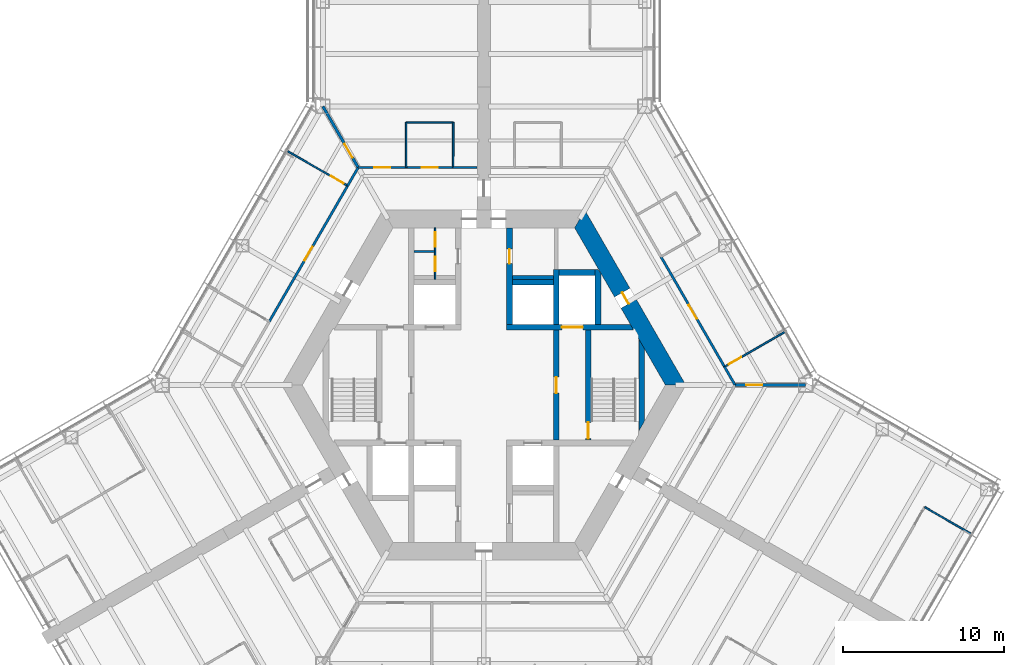
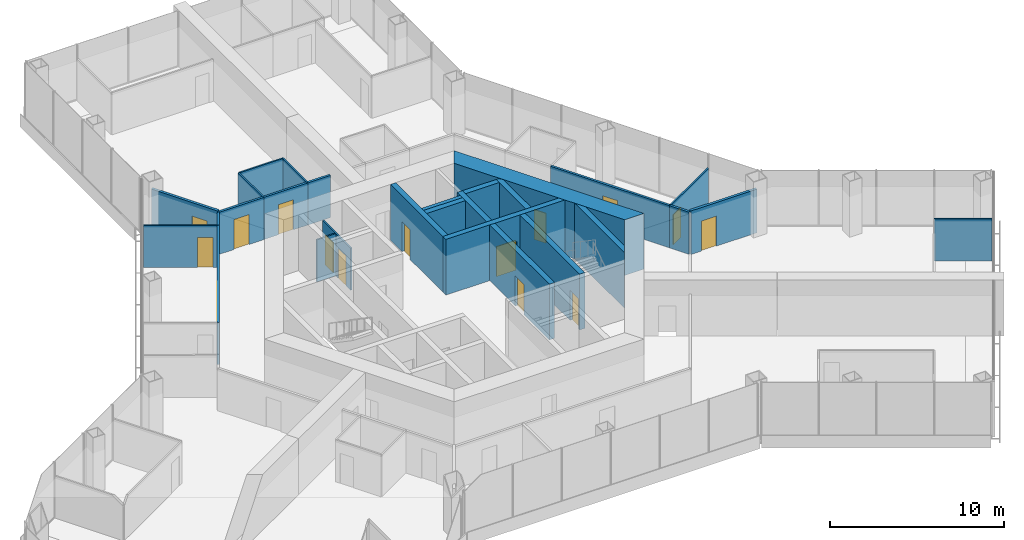
# One storey, part 14 of 18: 28 walls, 15 doors, 15 openings.
"""IFC4 building model written with IfcOpenShell, lengths in metres."""

from ifc_helpers import new_model, si_unit, direction, frame, frame_2d, origin, place, context, subcontext, project, spatial, polyline, rectangle, outline, extrude, material, layer, layer_set, type_object, element, fill, save


model = new_model("IFC4")

# Units and contexts
model_context = context("Model", 3, precision=1e-05, world=origin(), true_north=direction((0.0, 1.0)))
body_context = subcontext(model_context, "Body", "Model", "MODEL_VIEW")
ifc_project = project(units=[si_unit("LENGTHUNIT", "METRE"), si_unit("AREAUNIT", "SQUARE_METRE"), si_unit("VOLUMEUNIT", "CUBIC_METRE"), si_unit("PLANEANGLEUNIT", "RADIAN"), si_unit("MASSUNIT", "GRAM", prefix="KILO")], contexts=[model_context])

# Site, building, storey
site_placement = place(None, origin())
site = spatial("IfcSite", under=ifc_project, at=site_placement, CompositionType="ELEMENT")
building_placement = place(site_placement, origin())
building = spatial("IfcBuilding", under=site, at=building_placement, Name="Kasaneha Research Tower", CompositionType="ELEMENT")
storey_placement = place(building_placement, frame((0.0, 0.0, 80.699951171875)))
storey = spatial("IfcBuildingStorey", under=building, at=storey_placement, Name="L20", CompositionType="ELEMENT", Elevation=80.699951171875)

# Wall, opening, door
ifc_material_1 = material(Name="Concrete Fc80", Category="concrete")
ifc_layer_1 = layer(ifc_material_1, 0.35009765625)
ifc_layer_set_1 = layer_set([ifc_layer_1], Name="Core internal wall 350 Fc80")
wall_type_1 = type_object("IfcWallType", Name="Core internal wall 350 Fc80", PredefinedType="SHEAR", material=ifc_layer_set_1)
wall_1_placement = place(storey_placement, frame((1.425048828125, 3.60009765625, 0.0), z_axis=(0.0, 0.0, 1.0), x_axis=(1.0, 0.0, 0.0)))
wall_1 = element("IfcWall", 1, at=wall_1_placement, inside=storey, type_object=wall_type_1, Name="Core wall W1E L20", PredefinedType="SHEAR", context=body_context, shape_type="SweptSolid", body=[
    extrude(outline(polyline([(0.0, -0.175048828125), (3.425048828125, -0.175048828125), (4.72509765625, -0.175048828125), (7.884765625, -0.175048828125), (7.6826171875, 0.175048828125), (4.72509765625, 0.175048828125), (3.425048828125, 0.175048828125), (0.0, 0.175048828125), (0.0, -0.175048828125)])), origin(), (0.0, 0.0, 1.0), 3.900146484375),
])
opening_1_placement = place(wall_1_placement, frame((3.425048828125, 0.0, 0.0)))
opening_1 = element("IfcOpeningElement", 2, at=opening_1_placement, cuts=wall_1, Name="Opening LD-FL1-L20", PredefinedType="OPENING", context=body_context, shape_type="SweptSolid", body=[
    extrude(rectangle(XDim=1.300048828125, YDim=2.10009765625, at=frame_2d((0.64990234375, 1.050048828125))), frame((0.0, 0.18505859375, 0.0), z_axis=(0.0, -1.0, 0.0), x_axis=(1.0, 0.0, 0.0)), (0.0, 0.0, 1.0), 0.3701171875),
])
ifc_material_2 = material(Name="Steel", Category="steel")
door_type_1 = type_object("IfcDoorType", Name="Lift landing door 1300x2100", OperationType="DOUBLE_DOOR_SLIDING", PredefinedType="DOOR", material=ifc_material_2)
door_1_placement = place(opening_1_placement, origin())
door_1 = element("IfcDoor", 3, at=door_1_placement, inside=storey, type_object=door_type_1, Name="Landing door FL1 LD-FL1-L20", OperationType="DOUBLE_DOOR_SLIDING", OverallHeight=2.10009765625, OverallWidth=1.300048828125, PredefinedType="DOOR", context=body_context, shape_type="SweptSolid", body=[
    extrude(rectangle(XDim=1.300048828125, YDim=2.10009765625, at=frame_2d((0.64990234375, 1.050048828125))), frame((0.0, 0.02490234375, 0.0), z_axis=(0.0, -1.0, 0.0), x_axis=(1.0, 0.0, 0.0)), (0.0, 0.0, 1.0), 0.050048828125),
])
fill(opening_1, door_1)

wall_2_placement = place(storey_placement, frame((1.60009765625, 3.77490234375, 0.0), z_axis=(0.0, 0.0, 1.0), x_axis=(0.0, 1.0, 0.0)))
wall_2 = element("IfcWall", 4, at=wall_2_placement, inside=storey, type_object=wall_type_1, Name="Core wall CNE L20", PredefinedType="SHEAR", context=body_context, shape_type="SweptSolid", body=[
    extrude(rectangle(XDim=6.0, YDim=0.35009765625, at=frame_2d((3.0, 0.0))), origin(), (0.0, 0.0, 1.0), 3.900146484375),
])
opening_2_placement = place(wall_2_placement, frame((3.77490234375, 0.0, 0.0)))
opening_2 = element("IfcOpeningElement", 5, at=opening_2_placement, cuts=wall_2, Name="Opening L20-D14", PredefinedType="OPENING", context=body_context, shape_type="SweptSolid", body=[
    extrude(rectangle(XDim=0.89990234375, YDim=2.10009765625, at=frame_2d((0.449951171875, 1.050048828125))), frame((0.0, 0.18505859375, 0.0), z_axis=(0.0, -1.0, 0.0), x_axis=(1.0, 0.0, 0.0)), (0.0, 0.0, 1.0), 0.3701171875),
])
ifc_material_3 = material(Name="Steel", Category="steel")
door_type_2 = type_object("IfcDoorType", Name="Toilet door FD20 900x2100", OperationType="NOTDEFINED", PredefinedType="DOOR", material=ifc_material_3)
door_2_placement = place(opening_2_placement, origin())
door_2 = element("IfcDoor", 6, at=door_2_placement, inside=storey, type_object=door_type_2, Name="Women's WC door L20-D14", OperationType="SINGLE_SWING_LEFT", OverallHeight=2.10009765625, OverallWidth=0.89990234375, PredefinedType="DOOR", context=body_context, shape_type="SweptSolid", body=[
    extrude(rectangle(XDim=0.89990234375, YDim=2.10009765625, at=frame_2d((0.449951171875, 1.050048828125))), frame((0.0, 0.02490234375, 0.0), z_axis=(0.0, -1.0, 0.0), x_axis=(1.0, 0.0, 0.0)), (0.0, 0.0, 1.0), 0.050048828125),
])
fill(opening_2, door_2)

wall_3_placement = place(storey_placement, frame((4.5, -3.425048828125, 0.0), z_axis=(0.0, 0.0, 1.0), x_axis=(0.0, 1.0, 0.0)))
wall_3 = element("IfcWall", 7, at=wall_3_placement, inside=storey, type_object=wall_type_1, Name="Core wall LBE L20", PredefinedType="SHEAR", context=body_context, shape_type="SweptSolid", body=[
    extrude(rectangle(XDim=6.85009765625, YDim=0.35009765625, at=frame_2d((3.425048828125, 0.0))), origin(), (0.0, 0.0, 1.0), 3.900146484375),
])
opening_3_placement = place(wall_3_placement, frame((2.925048828125, 0.0, 0.0)))
opening_3 = element("IfcOpeningElement", 8, at=opening_3_placement, cuts=wall_3, Name="Opening L20-D08", PredefinedType="OPENING", context=body_context, shape_type="SweptSolid", body=[
    extrude(rectangle(XDim=1.0, YDim=2.10009765625, at=frame_2d((0.5, 1.050048828125))), frame((0.0, 0.18505859375, 0.0), z_axis=(0.0, -1.0, 0.0), x_axis=(1.0, 0.0, 0.0)), (0.0, 0.0, 1.0), 0.3701171875),
])
ifc_material_4 = material(Name="Steel", Category="steel")
door_type_3 = type_object("IfcDoorType", Name="Specified fire door FD60 1000x2100", OperationType="NOTDEFINED", PredefinedType="DOOR", material=ifc_material_4)
door_3_placement = place(opening_3_placement, origin())
door_3 = element("IfcDoor", 9, at=door_3_placement, inside=storey, type_object=door_type_3, Name="Lift lobby door east L20-D08", OperationType="SINGLE_SWING_LEFT", OverallHeight=2.10009765625, OverallWidth=1.0, PredefinedType="DOOR", context=body_context, shape_type="SweptSolid", body=[
    extrude(rectangle(XDim=1.0, YDim=2.10009765625, at=frame_2d((0.5, 1.050048828125))), frame((0.0, 0.02490234375, 0.0), z_axis=(0.0, -1.0, 0.0), x_axis=(1.0, 0.0, 0.0)), (0.0, 0.0, 1.0), 0.050048828125),
])
fill(opening_3, door_3)

wall_4_placement = place(storey_placement, frame((6.5, -3.425048828125, 0.0), z_axis=(0.0, 0.0, 1.0), x_axis=(0.0, 1.0, 0.0)))
wall_4 = element("IfcWall", 10, at=wall_4_placement, inside=storey, type_object=wall_type_1, Name="Core wall ANE L20", PredefinedType="SHEAR", context=body_context, shape_type="SweptSolid", body=[
    extrude(rectangle(XDim=6.85009765625, YDim=0.35009765625, at=frame_2d((3.425048828125, 0.0))), origin(), (0.0, 0.0, 1.0), 3.900146484375),
])
opening_4_placement = place(wall_4_placement, frame((0.10009765625, 0.0, 0.0)))
opening_4 = element("IfcOpeningElement", 11, at=opening_4_placement, cuts=wall_4, Name="Opening L20-D10", PredefinedType="OPENING", context=body_context, shape_type="SweptSolid", body=[
    extrude(rectangle(XDim=1.0, YDim=2.10009765625, at=frame_2d((0.5, 1.050048828125))), frame((0.0, 0.18505859375, 0.0), z_axis=(0.0, -1.0, 0.0), x_axis=(1.0, 0.0, 0.0)), (0.0, 0.0, 1.0), 0.3701171875),
])
door_4_placement = place(opening_4_placement, origin())
door_4 = element("IfcDoor", 12, at=door_4_placement, inside=storey, type_object=door_type_3, Name="Stair 1 door L20-D10", OperationType="SINGLE_SWING_LEFT", OverallHeight=2.10009765625, OverallWidth=1.0, PredefinedType="DOOR", context=body_context, shape_type="SweptSolid", body=[
    extrude(rectangle(XDim=1.0, YDim=2.10009765625, at=frame_2d((0.5, 1.050048828125))), frame((0.0, 0.02490234375, 0.0), z_axis=(0.0, -1.0, 0.0), x_axis=(1.0, 0.0, 0.0)), (0.0, 0.0, 1.0), 0.050048828125),
])
fill(opening_4, door_4)

# Walls
wall_5_placement = place(storey_placement, frame((4.5, 3.77490234375, 0.0), z_axis=(0.0, 0.0, 1.0), x_axis=(0.0, 1.0, 0.0)))
element("IfcWall", 13, at=wall_5_placement, inside=storey, type_object=wall_type_1, Name="Core wall FNE L20", PredefinedType="SHEAR", context=body_context, shape_type="SweptSolid", body=[
    extrude(rectangle(XDim=3.400146484375, YDim=0.35009765625, at=frame_2d((1.7001953125, 0.0))), origin(), (0.0, 0.0, 1.0), 3.900146484375),
])
wall_6_placement = place(storey_placement, frame((1.77490234375, 6.39990234375, 0.0), z_axis=(0.0, 0.0, 1.0), x_axis=(1.0, 0.0, 0.0)))
element("IfcWall", 14, at=wall_6_placement, inside=storey, type_object=wall_type_1, Name="Core wall N3N L20", PredefinedType="SHEAR", context=body_context, shape_type="SweptSolid", body=[
    extrude(rectangle(XDim=2.550048828125, YDim=0.35009765625, at=frame_2d((1.27490234375, 0.0))), origin(), (0.0, 0.0, 1.0), 3.900146484375),
])
wall_7_placement = place(storey_placement, frame((4.675048828125, 7.0, 0.0), z_axis=(0.0, 0.0, 1.0), x_axis=(1.0, 0.0, 0.0)))
element("IfcWall", 15, at=wall_7_placement, inside=storey, type_object=wall_type_1, Name="Core wall F1N L20", PredefinedType="SHEAR", context=body_context, shape_type="SweptSolid", body=[
    extrude(rectangle(XDim=2.25, YDim=0.35009765625, at=frame_2d((1.125, 0.0))), origin(), (0.0, 0.0, 1.0), 3.900146484375),
])
wall_8_placement = place(storey_placement, frame((7.10009765625, 3.77490234375, 0.0), z_axis=(0.0, 0.0, 1.0), x_axis=(0.0, 1.0, 0.0)))
element("IfcWall", 16, at=wall_8_placement, inside=storey, type_object=wall_type_1, Name="Core wall F1E L20", PredefinedType="SHEAR", context=body_context, shape_type="SweptSolid", body=[
    extrude(outline(polyline([(0.0, -0.175048828125), (3.174560546875, -0.175048828125), (3.400146484375, 0.0), (3.400146484375, 0.175048828125), (0.0, 0.175048828125), (0.0, -0.175048828125)])), origin(), (0.0, 0.0, 1.0), 3.900146484375),
])
wall_9_placement = place(storey_placement, frame((9.807861328125, -2.562255859375, 0.0), z_axis=(0.0, 0.0, 1.0), x_axis=(0.0, 1.0, 0.0)))
element("IfcWall", 17, at=wall_9_placement, inside=storey, type_object=wall_type_1, Name="Core wall STE L20", PredefinedType="SHEAR", context=body_context, shape_type="SweptSolid", body=[
    extrude(outline(polyline([(0.30322265625, -0.175048828125), (4.8212890625, -0.175048828125), (5.427734375, 0.175048828125), (-0.30322265625, 0.175048828125), (0.30322265625, -0.175048828125)])), origin(), (0.0, 0.0, 1.0), 3.900146484375),
])

# Wall, opening, door
ifc_material_5 = material(Name="Concrete Fc80", Category="concrete")
ifc_layer_2 = layer(ifc_material_5, 1.10009765625)
ifc_layer_set_2 = layer_set([ifc_layer_2], Name="Core wall 1100 Fc80")
wall_type_2 = type_object("IfcWallType", Name="Core wall 1100 Fc80", PredefinedType="SHEAR", material=ifc_layer_set_2)
wall_10_placement = place(storey_placement, frame((11.92236328125, 0.0, 0.0), z_axis=(0.0, 0.0, 1.0), x_axis=(-0.500004296715, 0.866022923061, 0.0)))
wall_10 = element("IfcWall", 18, at=wall_10_placement, inside=storey, type_object=wall_type_2, Name="Core wall 030 L20", PredefinedType="SHEAR", context=body_context, shape_type="SweptSolid", body=[
    extrude(outline(polyline([(-0.317626953125, -0.550048828125), (5.83544921875, -0.550048828125), (6.635498046875, -0.550048828125), (12.239990234375, -0.550048828125), (11.604736328125, 0.550048828125), (6.635498046875, 0.550048828125), (5.83544921875, 0.550048828125), (0.317626953125, 0.550048828125), (-0.317626953125, -0.550048828125)])), origin(), (0.0, 0.0, 1.0), 3.900146484375),
])
opening_5_placement = place(wall_10_placement, frame((5.83544921875, 0.0, 0.0)))
opening_5 = element("IfcOpeningElement", 19, at=opening_5_placement, cuts=wall_10, Name="Opening L20-D04", PredefinedType="OPENING", context=body_context, shape_type="SweptSolid", body=[
    extrude(rectangle(XDim=0.800048828125, YDim=2.10009765625, at=frame_2d((0.39990234375, 1.050048828125))), frame((0.0, 0.56005859375, 0.0), z_axis=(0.0, -1.0, 0.0), x_axis=(1.0, 0.0, 0.0)), (0.0, 0.0, 1.0), 1.1201171875),
])
ifc_material_6 = material(Name="Steel", Category="steel")
door_type_4 = type_object("IfcDoorType", Name="Riser access door FD60 800x2100", OperationType="NOTDEFINED", PredefinedType="DOOR", material=ifc_material_6)
door_5_placement = place(opening_5_placement, origin())
door_5 = element("IfcDoor", 20, at=door_5_placement, inside=storey, type_object=door_type_4, Name="Pipe riser door L20-D04", OperationType="SINGLE_SWING_RIGHT", OverallHeight=2.10009765625, OverallWidth=0.800048828125, PredefinedType="DOOR", context=body_context, shape_type="SweptSolid", body=[
    extrude(rectangle(XDim=0.800048828125, YDim=2.10009765625, at=frame_2d((0.39990234375, 1.050048828125))), frame((0.0, 0.02490234375, 0.0), z_axis=(0.0, -1.0, 0.0), x_axis=(1.0, 0.0, 0.0)), (0.0, 0.0, 1.0), 0.050048828125),
])
fill(opening_5, door_5)

# Wall, openings, doors
ifc_material_7 = material(Name="Gypsum board on steel studs, one layer each side", Category="steel")
ifc_layer_3 = layer(ifc_material_7, 0.10009765625)
ifc_layer_set_3 = layer_set([ifc_layer_3], Name="Office partition 100")
wall_type_3 = type_object("IfcWallType", Name="Office partition 100", PredefinedType="PARTITIONING", material=ifc_layer_set_3)
wall_11_placement = place(storey_placement, frame((-3.02490234375, 6.574951171875, 0.0), z_axis=(0.0, 0.0, 1.0), x_axis=(0.0, 1.0, 0.0)))
wall_11 = element("IfcWall", 21, at=wall_11_placement, inside=storey, type_object=wall_type_3, Name="Office partition TBM1 L20", PredefinedType="PARTITIONING", context=body_context, shape_type="SweptSolid", body=[
    extrude(rectangle(XDim=3.199951171875, YDim=0.10009765625, at=frame_2d((1.60009765625, 0.0))), origin(), (0.0, 0.0, 1.0), 2.949951171875),
])
opening_6_placement = place(wall_11_placement, frame((0.512451171875, 0.0, 0.0)))
opening_6 = element("IfcOpeningElement", 22, at=opening_6_placement, cuts=wall_11, Name="Opening L20-D20", PredefinedType="OPENING", context=body_context, shape_type="SweptSolid", body=[
    extrude(rectangle(XDim=0.89990234375, YDim=2.10009765625, at=frame_2d((0.449951171875, 1.050048828125))), frame((0.0, 0.06005859375, 0.0), z_axis=(0.0, -1.0, 0.0), x_axis=(1.0, 0.0, 0.0)), (0.0, 0.0, 1.0), 0.1201171875),
])
opening_7_placement = place(wall_11_placement, frame((2.03759765625, 0.0, 0.0)))
opening_7 = element("IfcOpeningElement", 23, at=opening_7_placement, cuts=wall_11, Name="Opening L20-D21", PredefinedType="OPENING", context=body_context, shape_type="SweptSolid", body=[
    extrude(rectangle(XDim=0.89990234375, YDim=2.10009765625, at=frame_2d((0.449951171875, 1.050048828125))), frame((0.0, 0.06005859375, 0.0), z_axis=(0.0, -1.0, 0.0), x_axis=(1.0, 0.0, 0.0)), (0.0, 0.0, 1.0), 0.1201171875),
])
ifc_material_8 = material(Name="Steel", Category="steel")
door_type_5 = type_object("IfcDoorType", Name="Toilet lobby door FD30 900x2100", OperationType="NOTDEFINED", PredefinedType="DOOR", material=ifc_material_8)
door_6_placement = place(opening_6_placement, origin())
door_6 = element("IfcDoor", 24, at=door_6_placement, inside=storey, type_object=door_type_5, Name="Men's WC door L20-D20", OperationType="SINGLE_SWING_RIGHT", OverallHeight=2.10009765625, OverallWidth=0.89990234375, PredefinedType="DOOR", context=body_context, shape_type="SweptSolid", body=[
    extrude(rectangle(XDim=0.89990234375, YDim=2.10009765625, at=frame_2d((0.449951171875, 1.050048828125))), frame((0.0, 0.02490234375, 0.0), z_axis=(0.0, -1.0, 0.0), x_axis=(1.0, 0.0, 0.0)), (0.0, 0.0, 1.0), 0.050048828125),
])
fill(opening_6, door_6)
door_7_placement = place(opening_7_placement, origin())
door_7 = element("IfcDoor", 25, at=door_7_placement, inside=storey, type_object=door_type_5, Name="Cleaner's store door L20-D21", OperationType="SINGLE_SWING_RIGHT", OverallHeight=2.10009765625, OverallWidth=0.89990234375, PredefinedType="DOOR", context=body_context, shape_type="SweptSolid", body=[
    extrude(rectangle(XDim=0.89990234375, YDim=2.10009765625, at=frame_2d((0.449951171875, 1.050048828125))), frame((0.0, 0.02490234375, 0.0), z_axis=(0.0, -1.0, 0.0), x_axis=(1.0, 0.0, 0.0)), (0.0, 0.0, 1.0), 0.050048828125),
])
fill(opening_7, door_7)

# Wall
wall_12_placement = place(storey_placement, frame((-3.074951171875, 8.300048828125, 0.0), z_axis=(0.0, 0.0, 1.0), x_axis=(-1.0, 0.0, 0.0)))
element("IfcWall", 26, at=wall_12_placement, inside=storey, type_object=wall_type_3, Name="Office partition TBM2 L20", PredefinedType="PARTITIONING", context=body_context, shape_type="SweptSolid", body=[
    extrude(rectangle(XDim=1.25, YDim=0.10009765625, at=frame_2d((0.625, 0.0))), origin(), (0.0, 0.0, 1.0), 2.949951171875),
])

# Wall, opening, door
wall_13_placement = place(storey_placement, frame((14.961669921875, 1.1357421875, 0.0), z_axis=(0.0, 0.0, 1.0), x_axis=(0.865503653685, 0.500902610751, 0.0)))
wall_13 = element("IfcWall", 27, at=wall_13_placement, inside=storey, type_object=wall_type_3, Name="Office partition FAE21 L20", PredefinedType="PARTITIONING", context=body_context, shape_type="SweptSolid", body=[
    extrude(rectangle(XDim=4.3203125, YDim=0.10009765625, at=frame_2d((2.16015625, 0.0))), origin(), (0.0, 0.0, 1.0), 2.949951171875),
])
opening_8_placement = place(wall_13_placement, frame((0.300048828125, 0.0, 0.0)))
opening_8 = element("IfcOpeningElement", 28, at=opening_8_placement, cuts=wall_13, Name="Opening L20-D31", PredefinedType="OPENING", context=body_context, shape_type="SweptSolid", body=[
    extrude(rectangle(XDim=0.89990234375, YDim=2.10009765625, at=frame_2d((0.449951171875, 1.050048828125))), frame((0.0, 0.06005859375, 0.0), z_axis=(0.0, -1.0, 0.0), x_axis=(1.0, 0.0, 0.0)), (0.0, 0.0, 1.0), 0.1201171875),
])
ifc_material_9 = material(Name="Timber veneer", Category="wood")
door_type_6 = type_object("IfcDoorType", Name="Office door 900x2100", OperationType="SINGLE_SWING_LEFT", PredefinedType="DOOR", material=ifc_material_9)
door_8_placement = place(opening_8_placement, origin())
door_8 = element("IfcDoor", 29, at=door_8_placement, inside=storey, type_object=door_type_6, Name="Phone room door L20-D31", OperationType="SINGLE_SWING_LEFT", OverallHeight=2.10009765625, OverallWidth=0.89990234375, PredefinedType="DOOR", context=body_context, shape_type="SweptSolid", body=[
    extrude(rectangle(XDim=0.89990234375, YDim=2.10009765625, at=frame_2d((0.449951171875, 1.050048828125))), frame((0.0, 0.02490234375, 0.0), z_axis=(0.0, -1.0, 0.0), x_axis=(1.0, 0.0, 0.0)), (0.0, 0.0, 1.0), 0.050048828125),
])
fill(opening_8, door_8)

# Walls
wall_14_placement = place(storey_placement, frame((-4.8291015625, 16.324951171875, 0.0), z_axis=(0.0, 0.0, 1.0), x_axis=(1.0, 0.0, 0.0)))
element("IfcWall", 30, at=wall_14_placement, inside=storey, type_object=wall_type_3, Name="Office partition FAW04 L20", PredefinedType="PARTITIONING", context=body_context, shape_type="SweptSolid", body=[
    extrude(rectangle(XDim=2.92919921875, YDim=0.10009765625, at=frame_2d((1.464599609375, 0.0))), origin(), (0.0, 0.0, 1.0), 2.949951171875),
])
for number, where, z_axis, x_axis, name in (
    (31, (-4.824462890625, 13.52490234375, 0.0), (0.0, 0.0, 1.0), (-0.001656637364, 0.999998627775, 0.0), "Office partition FAW05 L20"),
    (32, (-1.89990234375, 16.324951171875, 0.0), (0.0, 0.0, 1.0), (-0.001656637364, -0.999998627775, 0.0), "Office partition FAW06 L20"),
):
    element("IfcWall", number, at=place(storey_placement, frame(where, z_axis=z_axis, x_axis=x_axis)), inside=storey, type_object=wall_type_3, Name=name, PredefinedType="PARTITIONING", context=body_context, shape_type="SweptSolid", body=[
        extrude(rectangle(XDim=2.800048828125, YDim=0.10009765625, at=frame_2d((1.39990234375, 0.0))), origin(), (0.0, 0.0, 1.0), 2.949951171875),
    ])

# Wall, opening, door
wall_15_placement = place(storey_placement, frame((-8.46435546875, 12.389404296875, 0.0), z_axis=(0.0, 0.0, 1.0), x_axis=(-0.866548715099, 0.499092500806, 0.0)))
wall_15 = element("IfcWall", 33, at=wall_15_placement, inside=storey, type_object=wall_type_3, Name="Office partition FBN11 L20", PredefinedType="PARTITIONING", context=body_context, shape_type="SweptSolid", body=[
    extrude(rectangle(XDim=4.29541015625, YDim=0.10009765625, at=frame_2d((2.147705078125, 0.0))), origin(), (0.0, 0.0, 1.0), 2.949951171875),
])
opening_9_placement = place(wall_15_placement, frame((0.300048828125, 0.0, 0.0)))
opening_9 = element("IfcOpeningElement", 34, at=opening_9_placement, cuts=wall_15, Name="Opening L20-D39", PredefinedType="OPENING", context=body_context, shape_type="SweptSolid", body=[
    extrude(rectangle(XDim=0.89990234375, YDim=2.10009765625, at=frame_2d((0.449951171875, 1.050048828125))), frame((0.0, 0.06005859375, 0.0), z_axis=(0.0, -1.0, 0.0), x_axis=(1.0, 0.0, 0.0)), (0.0, 0.0, 1.0), 0.1201171875),
])
door_9_placement = place(opening_9_placement, origin())
door_9 = element("IfcDoor", 35, at=door_9_placement, inside=storey, type_object=door_type_6, Name="Workroom door L20-D39", OperationType="SINGLE_SWING_LEFT", OverallHeight=2.10009765625, OverallWidth=0.89990234375, PredefinedType="DOOR", context=body_context, shape_type="SweptSolid", body=[
    extrude(rectangle(XDim=0.89990234375, YDim=2.10009765625, at=frame_2d((0.449951171875, 1.050048828125))), frame((0.0, 0.02490234375, 0.0), z_axis=(0.0, -1.0, 0.0), x_axis=(1.0, 0.0, 0.0)), (0.0, 0.0, 1.0), 0.050048828125),
])
fill(opening_9, door_9)

# Walls
wall_16_placement = place(storey_placement, frame((27.400146484375, -7.58251953125, 0.0), z_axis=(0.0, 0.0, 1.0), x_axis=(0.866008176907, -0.50002983664, 0.0)))
element("IfcWall", 36, at=wall_16_placement, inside=storey, type_object=wall_type_3, Name="Office partition FCE03 L20", PredefinedType="PARTITIONING", context=body_context, shape_type="SweptSolid", body=[
    extrude(rectangle(XDim=3.300048828125, YDim=0.10009765625, at=frame_2d((1.64990234375, 0.0))), origin(), (0.0, 0.0, 1.0), 2.949951171875),
])
ifc_material_10 = material(Name="Gypsum board on steel studs, two layers each side", Category="steel")
ifc_layer_4 = layer(ifc_material_10, 0.14990234375)
ifc_layer_set_4 = layer_set([ifc_layer_4], Name="Suite partition 150")
wall_type_4 = type_object("IfcWallType", Name="Suite partition 150", PredefinedType="PARTITIONING", material=ifc_layer_set_4)
wall_17_placement = place(storey_placement, frame((14.956787109375, 1.143798828125, 0.0), z_axis=(0.0, 0.0, 1.0), x_axis=(0.500064441305, -0.865988195383, 0.0)))
element("IfcWall", 37, at=wall_17_placement, inside=storey, type_object=wall_type_4, Name="Suite partition FAE03 L20", PredefinedType="PARTITIONING", context=body_context, shape_type="SweptSolid", body=[
    extrude(rectangle(XDim=1.297607421875, YDim=0.14990234375, at=frame_2d((0.64892578125, 0.0))), origin(), (0.0, 0.0, 1.0), 2.949951171875),
])

# Wall, opening, door
wall_18_placement = place(storey_placement, frame((11.0107421875, 7.978759765625, 0.0), z_axis=(0.0, 0.0, 1.0), x_axis=(0.500010411682, -0.866019392513, 0.0)))
wall_18 = element("IfcWall", 38, at=wall_18_placement, inside=storey, type_object=wall_type_4, Name="Suite partition FAE07 L20", PredefinedType="PARTITIONING", context=body_context, shape_type="SweptSolid", body=[
    extrude(rectangle(XDim=7.901611328125, YDim=0.14990234375, at=frame_2d((3.95068359375, 0.0))), origin(), (0.0, 0.0, 1.0), 2.949951171875),
])
opening_10_placement = place(wall_18_placement, frame((3.450927734375, 0.0, 0.0)))
opening_10 = element("IfcOpeningElement", 39, at=opening_10_placement, cuts=wall_18, Name="Opening L20-D26", PredefinedType="OPENING", context=body_context, shape_type="SweptSolid", body=[
    extrude(rectangle(XDim=1.0, YDim=2.10009765625, at=frame_2d((0.5, 1.050048828125))), frame((0.0, 0.0849609375, 0.0), z_axis=(0.0, -1.0, 0.0), x_axis=(1.0, 0.0, 0.0)), (0.0, 0.0, 1.0), 0.169921875),
])
ifc_material_11 = material(Name="Steel", Category="steel")
door_type_7 = type_object("IfcDoorType", Name="Suite entrance door FD60 1000x2100", OperationType="NOTDEFINED", PredefinedType="DOOR", material=ifc_material_11)
door_10_placement = place(opening_10_placement, origin())
door_10 = element("IfcDoor", 40, at=door_10_placement, inside=storey, type_object=door_type_7, Name="Suite entrance door L20-D26", OperationType="SINGLE_SWING_RIGHT", OverallHeight=2.10009765625, OverallWidth=1.0, PredefinedType="DOOR", context=body_context, shape_type="SweptSolid", body=[
    extrude(rectangle(XDim=1.0, YDim=2.10009765625, at=frame_2d((0.5, 1.050048828125))), frame((0.0, 0.02490234375, 0.0), z_axis=(0.0, -1.0, 0.0), x_axis=(1.0, 0.0, 0.0)), (0.0, 0.0, 1.0), 0.050048828125),
])
fill(opening_10, door_10)

wall_19_placement = place(storey_placement, frame((-4.833984375, 13.52490234375, 0.0), z_axis=(0.0, 0.0, 1.0), x_axis=(1.0, 0.0, 0.0)))
wall_19 = element("IfcWall", 41, at=wall_19_placement, inside=storey, type_object=wall_type_4, Name="Suite partition FAW01 L20", PredefinedType="PARTITIONING", context=body_context, shape_type="SweptSolid", body=[
    extrude(rectangle(XDim=2.93896484375, YDim=0.14990234375, at=frame_2d((1.469482421875, 0.0))), origin(), (0.0, 0.0, 1.0), 2.949951171875),
])
opening_11_placement = place(wall_19_placement, frame((0.969482421875, 0.0, 0.0)))
opening_11 = element("IfcOpeningElement", 42, at=opening_11_placement, cuts=wall_19, Name="Opening L20-D32", PredefinedType="OPENING", context=body_context, shape_type="SweptSolid", body=[
    extrude(rectangle(XDim=1.0, YDim=2.10009765625, at=frame_2d((0.5, 1.050048828125))), frame((0.0, 0.0849609375, 0.0), z_axis=(0.0, -1.0, 0.0), x_axis=(1.0, 0.0, 0.0)), (0.0, 0.0, 1.0), 0.169921875),
])
door_11_placement = place(opening_11_placement, origin())
door_11 = element("IfcDoor", 43, at=door_11_placement, inside=storey, type_object=door_type_7, Name="Suite entrance door L20-D32", OperationType="SINGLE_SWING_RIGHT", OverallHeight=2.10009765625, OverallWidth=1.0, PredefinedType="DOOR", context=body_context, shape_type="SweptSolid", body=[
    extrude(rectangle(XDim=1.0, YDim=2.10009765625, at=frame_2d((0.5, 1.050048828125))), frame((0.0, 0.02490234375, 0.0), z_axis=(0.0, -1.0, 0.0), x_axis=(1.0, 0.0, 0.0)), (0.0, 0.0, 1.0), 0.050048828125),
])
fill(opening_11, door_11)

wall_20_placement = place(storey_placement, frame((-7.78564453125, 13.52490234375, 0.0), z_axis=(0.0, 0.0, 1.0), x_axis=(1.0, 0.0, 0.0)))
wall_20 = element("IfcWall", 44, at=wall_20_placement, inside=storey, type_object=wall_type_4, Name="Suite partition FAW02 L20", PredefinedType="PARTITIONING", context=body_context, shape_type="SweptSolid", body=[
    extrude(rectangle(XDim=2.961181640625, YDim=0.14990234375, at=frame_2d((1.48046875, 0.0))), origin(), (0.0, 0.0, 1.0), 2.949951171875),
])
opening_12_placement = place(wall_20_placement, frame((0.980712890625, 0.0, 0.0)))
opening_12 = element("IfcOpeningElement", 45, at=opening_12_placement, cuts=wall_20, Name="Opening L20-D33", PredefinedType="OPENING", context=body_context, shape_type="SweptSolid", body=[
    extrude(rectangle(XDim=1.0, YDim=2.10009765625, at=frame_2d((0.5, 1.050048828125))), frame((0.0, 0.0849609375, 0.0), z_axis=(0.0, -1.0, 0.0), x_axis=(1.0, 0.0, 0.0)), (0.0, 0.0, 1.0), 0.169921875),
])
door_12_placement = place(opening_12_placement, origin())
door_12 = element("IfcDoor", 46, at=door_12_placement, inside=storey, type_object=door_type_7, Name="Suite entrance door L20-D33", OperationType="SINGLE_SWING_RIGHT", OverallHeight=2.10009765625, OverallWidth=1.0, PredefinedType="DOOR", context=body_context, shape_type="SweptSolid", body=[
    extrude(rectangle(XDim=1.0, YDim=2.10009765625, at=frame_2d((0.5, 1.050048828125))), frame((0.0, 0.02490234375, 0.0), z_axis=(0.0, -1.0, 0.0), x_axis=(1.0, 0.0, 0.0)), (0.0, 0.0, 1.0), 0.050048828125),
])
fill(opening_12, door_12)

# Walls
wall_21_placement = place(storey_placement, frame((-1.904541015625, 13.52490234375, 0.0), z_axis=(0.0, 0.0, 1.0), x_axis=(1.0, 0.0, 0.0)))
element("IfcWall", 47, at=wall_21_placement, inside=storey, type_object=wall_type_4, Name="Suite partition FAW03 L20", PredefinedType="PARTITIONING", context=body_context, shape_type="SweptSolid", body=[
    extrude(rectangle(XDim=1.484619140625, YDim=0.14990234375, at=frame_2d((0.7421875, 0.0))), origin(), (0.0, 0.0, 1.0), 2.949951171875),
])
wall_22_placement = place(storey_placement, frame((-8.468994140625, 12.381103515625, 0.0), z_axis=(0.0, 0.0, 1.0), x_axis=(0.499923331814, 0.866069663658, 0.0)))
element("IfcWall", 48, at=wall_22_placement, inside=storey, type_object=wall_type_4, Name="Suite partition FBN02 L20", PredefinedType="PARTITIONING", context=body_context, shape_type="SweptSolid", body=[
    extrude(rectangle(XDim=1.297607421875, YDim=0.14990234375, at=frame_2d((0.64892578125, 0.0))), origin(), (0.0, 0.0, 1.0), 2.949951171875),
])

# Wall, opening, door
wall_23_placement = place(storey_placement, frame((-13.33837890625, 3.947265625, 0.0), z_axis=(0.0, 0.0, 1.0), x_axis=(0.499996337962, 0.866027518053, 0.0)))
wall_23 = element("IfcWall", 49, at=wall_23_placement, inside=storey, type_object=wall_type_4, Name="Suite partition FBN05 L20", PredefinedType="PARTITIONING", context=body_context, shape_type="SweptSolid", body=[
    extrude(rectangle(XDim=9.748046875, YDim=0.14990234375, at=frame_2d((4.8740234375, 0.0))), origin(), (0.0, 0.0, 1.0), 2.949951171875),
])
opening_13_placement = place(wall_23_placement, frame((4.3740234375, 0.0, 0.0)))
opening_13 = element("IfcOpeningElement", 50, at=opening_13_placement, cuts=wall_23, Name="Opening L20-D36", PredefinedType="OPENING", context=body_context, shape_type="SweptSolid", body=[
    extrude(rectangle(XDim=1.0, YDim=2.10009765625, at=frame_2d((0.5, 1.050048828125))), frame((0.0, 0.0849609375, 0.0), z_axis=(0.0, -1.0, 0.0), x_axis=(1.0, 0.0, 0.0)), (0.0, 0.0, 1.0), 0.169921875),
])
door_13_placement = place(opening_13_placement, origin())
door_13 = element("IfcDoor", 51, at=door_13_placement, inside=storey, type_object=door_type_7, Name="Suite entrance door L20-D36", OperationType="SINGLE_SWING_RIGHT", OverallHeight=2.10009765625, OverallWidth=1.0, PredefinedType="DOOR", context=body_context, shape_type="SweptSolid", body=[
    extrude(rectangle(XDim=1.0, YDim=2.10009765625, at=frame_2d((0.5, 1.050048828125))), frame((0.0, 0.02490234375, 0.0), z_axis=(0.0, -1.0, 0.0), x_axis=(1.0, 0.0, 0.0)), (0.0, 0.0, 1.0), 0.050048828125),
])
fill(opening_13, door_13)

ifc_material_12 = material(Name="Gypsum board on steel studs, two layers each side", Category="steel")
ifc_layer_5 = layer(ifc_material_12, 0.175048828125)
ifc_layer_set_5 = layer_set([ifc_layer_5], Name="Tenancy fire partition 175")
wall_type_5 = type_object("IfcWallType", Name="Tenancy fire partition 175", PredefinedType="PARTITIONING", material=ifc_layer_set_5)
wall_24_placement = place(storey_placement, frame((15.617431640625, 0.0, 0.0), z_axis=(0.0, 0.0, 1.0), x_axis=(1.0, 0.0, 0.0)))
wall_24 = element("IfcWall", 52, at=wall_24_placement, inside=storey, type_object=wall_type_5, Name="Tenancy fire partition T000 L20", PredefinedType="PARTITIONING", context=body_context, shape_type="SweptSolid", body=[
    extrude(rectangle(XDim=4.382568359375, YDim=0.175048828125, at=frame_2d((2.19140625, 0.0))), origin(), (0.0, 0.0, 1.0), 3.050048828125),
])
opening_14_placement = place(wall_24_placement, frame((0.699951171875, 0.0, 0.0)))
opening_14 = element("IfcOpeningElement", 53, at=opening_14_placement, cuts=wall_24, Name="Opening L20-D22", PredefinedType="OPENING", context=body_context, shape_type="SweptSolid", body=[
    extrude(rectangle(XDim=1.0, YDim=2.10009765625, at=frame_2d((0.5, 1.050048828125))), frame((0.0, 0.09765625, 0.0), z_axis=(0.0, -1.0, 0.0), x_axis=(1.0, 0.0, 0.0)), (0.0, 0.0, 1.0), 0.195068359375),
])
door_14_placement = place(opening_14_placement, origin())
door_14 = element("IfcDoor", 54, at=door_14_placement, inside=storey, type_object=door_type_7, Name="Connecting door L20-D22", OperationType="SINGLE_SWING_LEFT", OverallHeight=2.10009765625, OverallWidth=1.0, PredefinedType="DOOR", context=body_context, shape_type="SweptSolid", body=[
    extrude(rectangle(XDim=1.0, YDim=2.10009765625, at=frame_2d((0.5, 1.050048828125))), frame((0.0, 0.02490234375, 0.0), z_axis=(0.0, -1.0, 0.0), x_axis=(1.0, 0.0, 0.0)), (0.0, 0.0, 1.0), 0.050048828125),
])
fill(opening_14, door_14)

wall_25_placement = place(storey_placement, frame((-7.80859375, 13.52490234375, 0.0), z_axis=(0.0, 0.0, 1.0), x_axis=(-0.499997299682, 0.866026962808, 0.0)))
wall_25 = element("IfcWall", 55, at=wall_25_placement, inside=storey, type_object=wall_type_5, Name="Tenancy fire partition T120 L20", PredefinedType="PARTITIONING", context=body_context, shape_type="SweptSolid", body=[
    extrude(rectangle(XDim=4.3828125, YDim=0.175048828125, at=frame_2d((2.19140625, 0.0))), origin(), (0.0, 0.0, 1.0), 3.050048828125),
])
opening_15_placement = place(wall_25_placement, frame((0.699951171875, 0.0, 0.0)))
opening_15 = element("IfcOpeningElement", 56, at=opening_15_placement, cuts=wall_25, Name="Opening L20-D23", PredefinedType="OPENING", context=body_context, shape_type="SweptSolid", body=[
    extrude(rectangle(XDim=1.0, YDim=2.10009765625, at=frame_2d((0.5, 1.050048828125))), frame((0.0, 0.09765625, 0.0), z_axis=(0.0, -1.0, 0.0), x_axis=(1.0, 0.0, 0.0)), (0.0, 0.0, 1.0), 0.195068359375),
])
door_15_placement = place(opening_15_placement, origin())
door_15 = element("IfcDoor", 57, at=door_15_placement, inside=storey, type_object=door_type_7, Name="Connecting door L20-D23", OperationType="SINGLE_SWING_LEFT", OverallHeight=2.10009765625, OverallWidth=1.0, PredefinedType="DOOR", context=body_context, shape_type="SweptSolid", body=[
    extrude(rectangle(XDim=1.0, YDim=2.10009765625, at=frame_2d((0.5, 1.050048828125))), frame((0.0, 0.02490234375, 0.0), z_axis=(0.0, -1.0, 0.0), x_axis=(1.0, 0.0, 0.0)), (0.0, 0.0, 1.0), 0.050048828125),
])
fill(opening_15, door_15)

# Wall
ifc_material_13 = material(Name="Concrete block lining", Category="concrete")
ifc_layer_6 = layer(ifc_material_13, 0.25)
ifc_layer_set_6 = layer_set([ifc_layer_6], Name="WC plumbing wall 250")
wall_type_6 = type_object("IfcWallType", Name="WC plumbing wall 250", PredefinedType="PLUMBINGWALL", material=ifc_layer_set_6)
wall_26_placement = place(storey_placement, frame((1.77490234375, 6.699951171875, 0.0), z_axis=(0.0, 0.0, 1.0), x_axis=(1.0, 0.0, 0.0)))
element("IfcWall", 58, at=wall_26_placement, inside=storey, type_object=wall_type_6, Name="WC plumbing wall F L20", PredefinedType="PLUMBINGWALL", context=body_context, shape_type="SweptSolid", body=[
    extrude(rectangle(XDim=2.550048828125, YDim=0.25, at=frame_2d((1.27490234375, 0.0))), origin(), (0.0, 0.0, 1.0), 3.900146484375),
])

save(model, "model.ifc")
